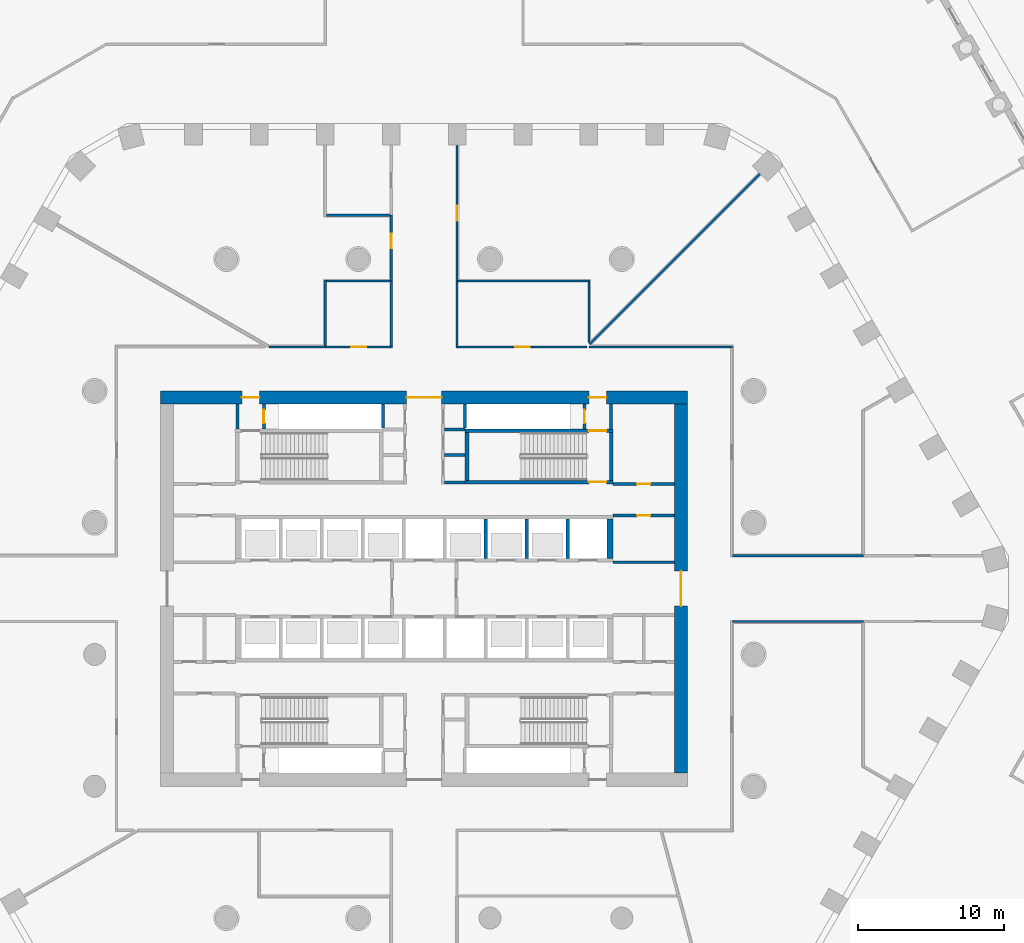
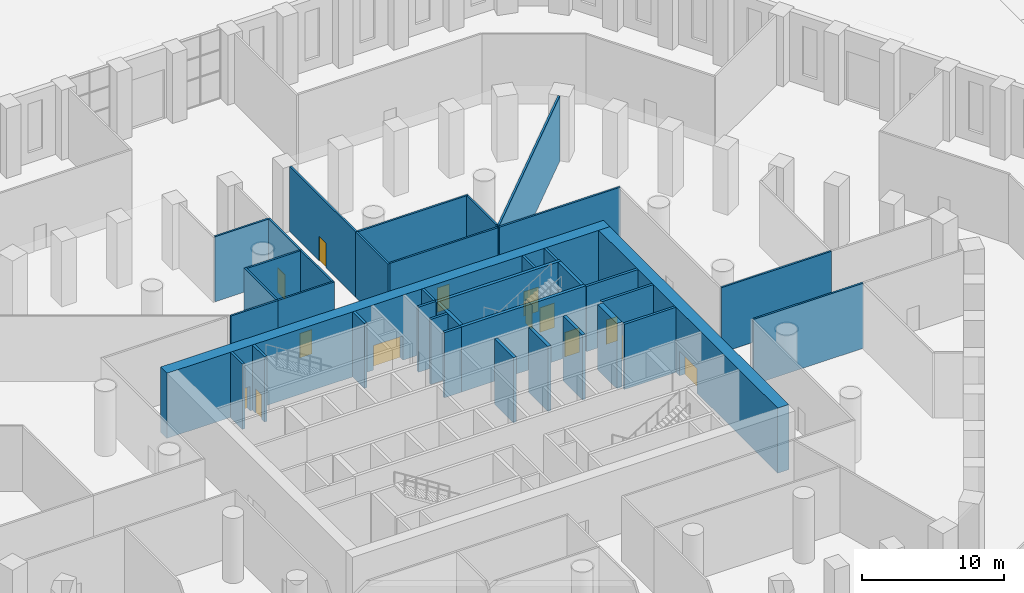
# One storey, part 21 of 44: 38 walls, 14 doors, 14 openings.
"""IFC4 building model written with IfcOpenShell, lengths in metres."""

from ifc_helpers import new_model, si_unit, direction, frame, frame_2d, origin, place, context, subcontext, project, spatial, polyline, rectangle, outline, extrude, material, layer, layer_set, type_object, element, fill, save


model = new_model("IFC4")

# Units and contexts
model_context = context("Model", 3, precision=1e-05, world=origin(), true_north=direction((0.0, 1.0)))
body_context = subcontext(model_context, "Body", "Model", "MODEL_VIEW")
ifc_project = project(units=[si_unit("LENGTHUNIT", "METRE"), si_unit("AREAUNIT", "SQUARE_METRE"), si_unit("VOLUMEUNIT", "CUBIC_METRE"), si_unit("PLANEANGLEUNIT", "RADIAN"), si_unit("MASSUNIT", "GRAM", prefix="KILO")], contexts=[model_context])

# Site, building, storey
site_placement = place(None, origin())
site = spatial("IfcSite", under=ifc_project, at=site_placement, CompositionType="ELEMENT")
building_placement = place(site_placement, origin())
building = spatial("IfcBuilding", under=site, at=building_placement, Name="Dhurran Vertical Campus", CompositionType="ELEMENT")
storey_placement = place(building_placement, origin())
storey = spatial("IfcBuildingStorey", under=building, at=storey_placement, Name="L00", CompositionType="ELEMENT", Elevation=0.0)

# Wall, openings, doors
ifc_material_1 = material(Name="Concrete C60/75", Category="concrete")
ifc_layer_1 = layer(ifc_material_1, 0.89990234375)
ifc_layer_set_1 = layer_set([ifc_layer_1], Name="Concrete C60/75")
wall_type_1 = type_object("IfcWallType", Name="co-CORE-WALL-C0-900", PredefinedType="SHEAR", material=ifc_layer_set_1)
wall_1_placement = place(storey_placement, frame((-18.0, 13.050048828125, 0.0), z_axis=(0.0, 0.0, 1.0), x_axis=(1.0, 0.0, 0.0)))
wall_1 = element("IfcWall", 1, at=wall_1_placement, inside=storey, type_object=wall_type_1, Name="Core wall N L00", PredefinedType="SHEAR", context=body_context, shape_type="SweptSolid", body=[
    extrude(rectangle(XDim=36.0, YDim=0.89990234375, at=frame_2d((18.0, 0.0))), origin(), (0.0, 0.0, 1.0), 5.60009765625),
])
opening_1_placement = place(wall_1_placement, frame((16.800048828125, 0.0, 0.0)))
opening_1 = element("IfcOpeningElement", 2, at=opening_1_placement, cuts=wall_1, Name="Opening CV1", PredefinedType="OPENING", context=body_context, shape_type="SweptSolid", body=[
    extrude(rectangle(XDim=2.39990234375, YDim=2.10009765625, at=frame_2d((1.199951171875, 1.050048828125))), frame((0.0, 0.4599609375, 0.0), z_axis=(0.0, -1.0, 0.0), x_axis=(1.0, 0.0, 0.0)), (0.0, 0.0, 1.0), 0.919921875),
])
opening_2_placement = place(wall_1_placement, frame((5.550048828125, 0.0, 0.0)))
opening_2 = element("IfcOpeningElement", 3, at=opening_2_placement, cuts=wall_1, Name="Opening XD1", PredefinedType="OPENING", context=body_context, shape_type="SweptSolid", body=[
    extrude(rectangle(XDim=1.199951171875, YDim=2.10009765625, at=frame_2d((0.60009765625, 1.050048828125))), frame((0.0, 0.4599609375, 0.0), z_axis=(0.0, -1.0, 0.0), x_axis=(1.0, 0.0, 0.0)), (0.0, 0.0, 1.0), 0.919921875),
])
opening_3_placement = place(wall_1_placement, frame((29.25, 0.0, 0.0)))
opening_3 = element("IfcOpeningElement", 4, at=opening_3_placement, cuts=wall_1, Name="Opening XD2", PredefinedType="OPENING", context=body_context, shape_type="SweptSolid", body=[
    extrude(rectangle(XDim=1.199951171875, YDim=2.10009765625, at=frame_2d((0.60009765625, 1.050048828125))), frame((0.0, 0.4599609375, 0.0), z_axis=(0.0, -1.0, 0.0), x_axis=(1.0, 0.0, 0.0)), (0.0, 0.0, 1.0), 0.919921875),
])
ifc_material_2 = material(Name="Fire-rated glazed door set")
door_type_1 = type_object("IfcDoorType", Name="co-D-LOBBY 2400x2100", OperationType="DOUBLE_DOOR_DOUBLE_SWING", PredefinedType="DOOR", material=ifc_material_2)
door_1_placement = place(opening_1_placement, origin())
door_1 = element("IfcDoor", 5, at=door_1_placement, inside=storey, type_object=door_type_1, Name="Core vestibule door N L00", OperationType="DOUBLE_DOOR_DOUBLE_SWING", OverallHeight=2.10009765625, OverallWidth=2.39990234375, PredefinedType="DOOR", context=body_context, shape_type="SweptSolid", body=[
    extrude(rectangle(XDim=2.39990234375, YDim=2.10009765625, at=frame_2d((1.199951171875, 1.050048828125))), frame((0.0, 0.02490234375, 0.0), z_axis=(0.0, -1.0, 0.0), x_axis=(1.0, 0.0, 0.0)), (0.0, 0.0, 1.0), 0.050048828125),
])
fill(opening_1, door_1)
ifc_material_3 = material(Name="Fire-rated steel door set", Category="steel")
door_type_2 = type_object("IfcDoorType", Name="co-D-STAIR-EXIT 1200x2100", OperationType="SINGLE_SWING_RIGHT", PredefinedType="DOOR", material=ifc_material_3)
door_2_placement = place(opening_2_placement, origin())
door_2 = element("IfcDoor", 6, at=door_2_placement, inside=storey, type_object=door_type_2, Name="Stair ST1 exit door L00", OperationType="SINGLE_SWING_RIGHT", OverallHeight=2.10009765625, OverallWidth=1.199951171875, PredefinedType="DOOR", context=body_context, shape_type="SweptSolid", body=[
    extrude(rectangle(XDim=1.199951171875, YDim=2.10009765625, at=frame_2d((0.60009765625, 1.050048828125))), frame((0.0, 0.02490234375, 0.0), z_axis=(0.0, -1.0, 0.0), x_axis=(1.0, 0.0, 0.0)), (0.0, 0.0, 1.0), 0.050048828125),
])
fill(opening_2, door_2)
door_3_placement = place(opening_3_placement, origin())
door_3 = element("IfcDoor", 7, at=door_3_placement, inside=storey, type_object=door_type_2, Name="Stair ST2 exit door L00", OperationType="SINGLE_SWING_RIGHT", OverallHeight=2.10009765625, OverallWidth=1.199951171875, PredefinedType="DOOR", context=body_context, shape_type="SweptSolid", body=[
    extrude(rectangle(XDim=1.199951171875, YDim=2.10009765625, at=frame_2d((0.60009765625, 1.050048828125))), frame((0.0, 0.02490234375, 0.0), z_axis=(0.0, -1.0, 0.0), x_axis=(1.0, 0.0, 0.0)), (0.0, 0.0, 1.0), 0.050048828125),
])
fill(opening_3, door_3)

# Wall, opening, door
wall_2_placement = place(storey_placement, frame((17.550048828125, -12.60009765625, 0.0), z_axis=(0.0, 0.0, 1.0), x_axis=(0.0, 1.0, 0.0)))
wall_2 = element("IfcWall", 8, at=wall_2_placement, inside=storey, type_object=wall_type_1, Name="Core wall E L00", PredefinedType="SHEAR", context=body_context, shape_type="SweptSolid", body=[
    extrude(rectangle(XDim=25.2001953125, YDim=0.89990234375, at=frame_2d((12.60009765625, 0.0))), origin(), (0.0, 0.0, 1.0), 5.60009765625),
])
opening_4_placement = place(wall_2_placement, frame((11.39990234375, 0.0, 0.0)))
opening_4 = element("IfcOpeningElement", 9, at=opening_4_placement, cuts=wall_2, Name="Opening CL2", PredefinedType="OPENING", context=body_context, shape_type="SweptSolid", body=[
    extrude(rectangle(XDim=2.39990234375, YDim=2.10009765625, at=frame_2d((1.199951171875, 1.050048828125))), frame((0.0, 0.4599609375, 0.0), z_axis=(0.0, -1.0, 0.0), x_axis=(1.0, 0.0, 0.0)), (0.0, 0.0, 1.0), 0.919921875),
])
door_4_placement = place(opening_4_placement, origin())
door_4 = element("IfcDoor", 10, at=door_4_placement, inside=storey, type_object=door_type_1, Name="Lift lobby door E L00", OperationType="DOUBLE_DOOR_DOUBLE_SWING", OverallHeight=2.10009765625, OverallWidth=2.39990234375, PredefinedType="DOOR", context=body_context, shape_type="SweptSolid", body=[
    extrude(rectangle(XDim=2.39990234375, YDim=2.10009765625, at=frame_2d((1.199951171875, 1.050048828125))), frame((0.0, 0.02490234375, 0.0), z_axis=(0.0, -1.0, 0.0), x_axis=(1.0, 0.0, 0.0)), (0.0, 0.0, 1.0), 0.050048828125),
])
fill(opening_4, door_4)

# Walls
ifc_material_4 = material(Name="Fire-rated masonry blockwork", Category="masonry")
ifc_layer_2 = layer(ifc_material_4, 0.199951171875)
ifc_layer_set_2 = layer_set([ifc_layer_2], Name="Fire-rated masonry blockwork")
wall_type_2 = type_object("IfcWallType", Name="co-FIRE-PARTITION-200", PredefinedType="PARTITIONING", material=ifc_layer_set_2)
for number, where, z_axis, x_axis, name in (
    (11, (1.39990234375, 7.25, 0.0), (0.0, 0.0, 1.0), (1.0, 0.0, 0.0), "Core partition sl-NE-S L00"),
    (12, (1.39990234375, 9.135009765625, 0.0), (0.0, 0.0, 1.0), (1.0, 0.0, 0.0), "Core partition sl-NE-cut0 L00"),
    (13, (1.39990234375, 10.867431640625, 0.0), (0.0, 0.0, 1.0), (1.0, 0.0, 0.0), "Core partition sl-NE-cut1 L00"),
):
    element("IfcWall", number, at=place(storey_placement, frame(where, z_axis=z_axis, x_axis=x_axis)), inside=storey, type_object=wall_type_2, Name=name, PredefinedType="PARTITIONING", context=body_context, shape_type="SweptSolid", body=[
        extrude(rectangle(XDim=1.400146484375, YDim=0.199951171875, at=frame_2d((0.7001953125, 0.0))), origin(), (0.0, 0.0, 1.0), 5.60009765625),
    ])
wall_3_placement = place(storey_placement, frame((-12.75, 10.89990234375, 0.0), z_axis=(0.0, 0.0, 1.0), x_axis=(0.0, 1.0, 0.0)))
element("IfcWall", 14, at=wall_3_placement, inside=storey, type_object=wall_type_2, Name="Core partition pass-ST1-o L00", PredefinedType="PARTITIONING", context=body_context, shape_type="SweptSolid", body=[
    extrude(rectangle(XDim=1.7001953125, YDim=0.199951171875, at=frame_2d((0.85009765625, 0.0))), origin(), (0.0, 0.0, 1.0), 5.60009765625),
])

# Wall, opening, door
wall_4_placement = place(storey_placement, frame((-10.949951171875, 10.89990234375, 0.0), z_axis=(0.0, 0.0, 1.0), x_axis=(0.0, 1.0, 0.0)))
wall_4 = element("IfcWall", 15, at=wall_4_placement, inside=storey, type_object=wall_type_2, Name="Core partition pass-ST1-i L00", PredefinedType="PARTITIONING", context=body_context, shape_type="SweptSolid", body=[
    extrude(rectangle(XDim=1.7001953125, YDim=0.199951171875, at=frame_2d((0.85009765625, 0.0))), origin(), (0.0, 0.0, 1.0), 5.60009765625),
])
opening_5_placement = place(wall_4_placement, frame((0.39990234375, 0.0, 0.0)))
opening_5 = element("IfcOpeningElement", 16, at=opening_5_placement, cuts=wall_4, Name="Opening PD00-C11", PredefinedType="OPENING", context=body_context, shape_type="SweptSolid", body=[
    extrude(rectangle(XDim=0.89990234375, YDim=2.10009765625, at=frame_2d((0.449951171875, 1.050048828125))), frame((0.0, 0.10986328125, 0.0), z_axis=(0.0, -1.0, 0.0), x_axis=(1.0, 0.0, 0.0)), (0.0, 0.0, 1.0), 0.219970703125),
])
ifc_material_5 = material(Name="Fire-rated timber door set", Category="wood")
door_type_3 = type_object("IfcDoorType", Name="co-D-ROOM 900x2100", OperationType="SINGLE_SWING_LEFT", PredefinedType="DOOR", material=ifc_material_5)
door_5_placement = place(opening_5_placement, origin())
door_5 = element("IfcDoor", 17, at=door_5_placement, inside=storey, type_object=door_type_3, Name="Riser room door L00", OperationType="SINGLE_SWING_LEFT", OverallHeight=2.10009765625, OverallWidth=0.89990234375, PredefinedType="DOOR", context=body_context, shape_type="SweptSolid", body=[
    extrude(rectangle(XDim=0.89990234375, YDim=2.10009765625, at=frame_2d((0.449951171875, 1.050048828125))), frame((0.0, 0.02490234375, 0.0), z_axis=(0.0, -1.0, 0.0), x_axis=(1.0, 0.0, 0.0)), (0.0, 0.0, 1.0), 0.050048828125),
])
fill(opening_5, door_5)

# Wall
wall_5_placement = place(storey_placement, frame((12.75, 10.89990234375, 0.0), z_axis=(0.0, 0.0, 1.0), x_axis=(0.0, 1.0, 0.0)))
element("IfcWall", 18, at=wall_5_placement, inside=storey, type_object=wall_type_2, Name="Core partition pass-ST2-o L00", PredefinedType="PARTITIONING", context=body_context, shape_type="SweptSolid", body=[
    extrude(rectangle(XDim=1.7001953125, YDim=0.199951171875, at=frame_2d((0.85009765625, 0.0))), origin(), (0.0, 0.0, 1.0), 5.60009765625),
])

# Wall, opening, door
wall_6_placement = place(storey_placement, frame((10.949951171875, 10.89990234375, 0.0), z_axis=(0.0, 0.0, 1.0), x_axis=(0.0, 1.0, 0.0)))
wall_6 = element("IfcWall", 19, at=wall_6_placement, inside=storey, type_object=wall_type_2, Name="Core partition pass-ST2-i L00", PredefinedType="PARTITIONING", context=body_context, shape_type="SweptSolid", body=[
    extrude(rectangle(XDim=1.7001953125, YDim=0.199951171875, at=frame_2d((0.85009765625, 0.0))), origin(), (0.0, 0.0, 1.0), 5.60009765625),
])
opening_6_placement = place(wall_6_placement, frame((0.39990234375, 0.0, 0.0)))
opening_6 = element("IfcOpeningElement", 20, at=opening_6_placement, cuts=wall_6, Name="Opening PD00-C12", PredefinedType="OPENING", context=body_context, shape_type="SweptSolid", body=[
    extrude(rectangle(XDim=0.89990234375, YDim=2.10009765625, at=frame_2d((0.449951171875, 1.050048828125))), frame((0.0, 0.10986328125, 0.0), z_axis=(0.0, -1.0, 0.0), x_axis=(1.0, 0.0, 0.0)), (0.0, 0.0, 1.0), 0.219970703125),
])
door_6_placement = place(opening_6_placement, origin())
door_6 = element("IfcDoor", 21, at=door_6_placement, inside=storey, type_object=door_type_3, Name="Riser room door L00", OperationType="SINGLE_SWING_LEFT", OverallHeight=2.10009765625, OverallWidth=0.89990234375, PredefinedType="DOOR", context=body_context, shape_type="SweptSolid", body=[
    extrude(rectangle(XDim=0.89990234375, YDim=2.10009765625, at=frame_2d((0.449951171875, 1.050048828125))), frame((0.0, 0.02490234375, 0.0), z_axis=(0.0, -1.0, 0.0), x_axis=(1.0, 0.0, 0.0)), (0.0, 0.0, 1.0), 0.050048828125),
])
fill(opening_6, door_6)

wall_7_placement = place(storey_placement, frame((12.89990234375, 7.14990234375, 0.0), z_axis=(0.0, 0.0, 1.0), x_axis=(1.0, 0.0, 0.0)))
wall_7 = element("IfcWall", 22, at=wall_7_placement, inside=storey, type_object=wall_type_2, Name="Core partition en-NE-w L00", PredefinedType="PARTITIONING", context=body_context, shape_type="SweptSolid", body=[
    extrude(rectangle(XDim=4.2001953125, YDim=0.199951171875, at=frame_2d((2.10009765625, 0.0))), origin(), (0.0, 0.0, 1.0), 5.60009765625),
])
opening_7_placement = place(wall_7_placement, frame((1.64990234375, 0.0, 0.0)))
opening_7 = element("IfcOpeningElement", 23, at=opening_7_placement, cuts=wall_7, Name="Opening PD00-C17", PredefinedType="OPENING", context=body_context, shape_type="SweptSolid", body=[
    extrude(rectangle(XDim=0.89990234375, YDim=2.10009765625, at=frame_2d((0.449951171875, 1.050048828125))), frame((0.0, 0.10986328125, 0.0), z_axis=(0.0, -1.0, 0.0), x_axis=(1.0, 0.0, 0.0)), (0.0, 0.0, 1.0), 0.219970703125),
])
door_7_placement = place(opening_7_placement, origin())
door_7 = element("IfcDoor", 24, at=door_7_placement, inside=storey, type_object=door_type_3, Name="Store door L00", OperationType="SINGLE_SWING_LEFT", OverallHeight=2.10009765625, OverallWidth=0.89990234375, PredefinedType="DOOR", context=body_context, shape_type="SweptSolid", body=[
    extrude(rectangle(XDim=0.89990234375, YDim=2.10009765625, at=frame_2d((0.449951171875, 1.050048828125))), frame((0.0, 0.02490234375, 0.0), z_axis=(0.0, -1.0, 0.0), x_axis=(1.0, 0.0, 0.0)), (0.0, 0.0, 1.0), 0.050048828125),
])
fill(opening_7, door_7)

wall_8_placement = place(storey_placement, frame((12.89990234375, 5.0, 0.0), z_axis=(0.0, 0.0, 1.0), x_axis=(1.0, 0.0, 0.0)))
wall_8 = element("IfcWall", 25, at=wall_8_placement, inside=storey, type_object=wall_type_2, Name="Core partition es-NE-w L00", PredefinedType="PARTITIONING", context=body_context, shape_type="SweptSolid", body=[
    extrude(rectangle(XDim=4.2001953125, YDim=0.199951171875, at=frame_2d((2.10009765625, 0.0))), origin(), (0.0, 0.0, 1.0), 5.60009765625),
])
opening_8_placement = place(wall_8_placement, frame((1.64990234375, 0.0, 0.0)))
opening_8 = element("IfcOpeningElement", 26, at=opening_8_placement, cuts=wall_8, Name="Opening PD00-C18", PredefinedType="OPENING", context=body_context, shape_type="SweptSolid", body=[
    extrude(rectangle(XDim=0.89990234375, YDim=2.10009765625, at=frame_2d((0.449951171875, 1.050048828125))), frame((0.0, 0.10986328125, 0.0), z_axis=(0.0, -1.0, 0.0), x_axis=(1.0, 0.0, 0.0)), (0.0, 0.0, 1.0), 0.219970703125),
])
door_8_placement = place(opening_8_placement, origin())
door_8 = element("IfcDoor", 27, at=door_8_placement, inside=storey, type_object=door_type_3, Name="Waste room door L00", OperationType="SINGLE_SWING_LEFT", OverallHeight=2.10009765625, OverallWidth=0.89990234375, PredefinedType="DOOR", context=body_context, shape_type="SweptSolid", body=[
    extrude(rectangle(XDim=0.89990234375, YDim=2.10009765625, at=frame_2d((0.449951171875, 1.050048828125))), frame((0.0, 0.02490234375, 0.0), z_axis=(0.0, -1.0, 0.0), x_axis=(1.0, 0.0, 0.0)), (0.0, 0.0, 1.0), 0.050048828125),
])
fill(opening_8, door_8)

# Walls
wall_9_placement = place(storey_placement, frame((12.89990234375, 1.800048828125, 0.0), z_axis=(0.0, 0.0, 1.0), x_axis=(1.0, 0.0, 0.0)))
element("IfcWall", 28, at=wall_9_placement, inside=storey, type_object=wall_type_2, Name="Core partition es-NE-l L00", PredefinedType="PARTITIONING", context=body_context, shape_type="SweptSolid", body=[
    extrude(rectangle(XDim=4.2001953125, YDim=0.199951171875, at=frame_2d((2.10009765625, 0.0))), origin(), (0.0, 0.0, 1.0), 5.60009765625),
])
for number, where, z_axis, x_axis, name in (
    (29, (-2.800048828125, 10.968505859375, 0.0), (0.0, 0.0, 1.0), (0.0, 1.0, 0.0), "Riser enclosure wall L00"),
    (30, (2.800048828125, 12.59912109375, 0.0), (0.0, 0.0, 1.0), (0.0, -1.0, 0.0), "Riser enclosure wall L00"),
):
    element("IfcWall", number, at=place(storey_placement, frame(where, z_axis=z_axis, x_axis=x_axis)), inside=storey, type_object=wall_type_2, Name=name, PredefinedType="PARTITIONING", context=body_context, shape_type="SweptSolid", body=[
        extrude(rectangle(XDim=1.630615234375, YDim=0.199951171875, at=frame_2d((0.8154296875, 0.0))), origin(), (0.0, 0.0, 1.0), 5.60009765625),
    ])
ifc_material_6 = material(Name="Concrete C50/60", Category="concrete")
ifc_layer_3 = layer(ifc_material_6, 0.25)
ifc_layer_set_3 = layer_set([ifc_layer_3], Name="Concrete C50/60")
wall_type_3 = type_object("IfcWallType", Name="co-SHAFT-MASS-250", PredefinedType="SHEAR", material=ifc_layer_set_3)
wall_10_placement = place(storey_placement, origin())
element("IfcWall", 31, at=wall_10_placement, inside=storey, type_object=wall_type_3, Name="Lift shaft wall N L00 8", PredefinedType="SHEAR", context=body_context, shape_type="SweptSolid", body=[
    extrude(outline(polyline([(4.074951171875, 2.050048828125), (4.324951171875, 2.050048828125), (4.324951171875, 4.75), (4.074951171875, 4.75), (4.074951171875, 2.050048828125)])), origin(), (0.0, 0.0, 1.0), 5.60009765625),
])
wall_11_placement = place(storey_placement, origin())
element("IfcWall", 32, at=wall_11_placement, inside=storey, type_object=wall_type_3, Name="Lift shaft wall N L00 9", PredefinedType="SHEAR", context=body_context, shape_type="SweptSolid", body=[
    extrude(outline(polyline([(6.875, 2.050048828125), (7.125, 2.050048828125), (7.125, 4.75), (6.875, 4.75), (6.875, 2.050048828125)])), origin(), (0.0, 0.0, 1.0), 5.60009765625),
])
wall_12_placement = place(storey_placement, origin())
element("IfcWall", 33, at=wall_12_placement, inside=storey, type_object=wall_type_3, Name="Lift shaft wall N L00 10", PredefinedType="SHEAR", context=body_context, shape_type="SweptSolid", body=[
    extrude(outline(polyline([(9.675048828125, 2.050048828125), (9.925048828125, 2.050048828125), (9.925048828125, 4.75), (9.675048828125, 4.75), (9.675048828125, 2.050048828125)])), origin(), (0.0, 0.0, 1.0), 5.60009765625),
])
wall_13_placement = place(storey_placement, origin())
element("IfcWall", 34, at=wall_13_placement, inside=storey, type_object=wall_type_3, Name="Lift shaft wall N L00 11", PredefinedType="SHEAR", context=body_context, shape_type="SweptSolid", body=[
    extrude(outline(polyline([(12.47509765625, 2.050048828125), (12.89990234375, 2.050048828125), (12.89990234375, 4.75), (12.47509765625, 4.75), (12.47509765625, 2.050048828125)])), origin(), (0.0, 0.0, 1.0), 5.60009765625),
])

# Wall, opening, door
ifc_material_7 = material(Name="Concrete C40/50", Category="concrete")
ifc_layer_4 = layer(ifc_material_7, 0.25)
ifc_layer_set_4 = layer_set([ifc_layer_4], Name="Concrete C40/50")
wall_type_4 = type_object("IfcWallType", Name="co-STAIR-WALL-250", PredefinedType="SHEAR", material=ifc_layer_set_4)
wall_14_placement = place(storey_placement, frame((2.800048828125, 7.27490234375, 0.0), z_axis=(0.0, 0.0, 1.0), x_axis=(1.0, 0.0, 0.0)))
wall_14 = element("IfcWall", 35, at=wall_14_placement, inside=storey, type_object=wall_type_4, Name="Stair ST2 enclosure wall L00", PredefinedType="SHEAR", context=body_context, shape_type="SweptSolid", body=[
    extrude(rectangle(XDim=10.099853515625, YDim=0.25, at=frame_2d((5.0498046875, 0.0))), origin(), (0.0, 0.0, 1.0), 5.60009765625),
])
opening_9_placement = place(wall_14_placement, frame((8.449951171875, 0.0, 0.0)))
opening_9 = element("IfcOpeningElement", 36, at=opening_9_placement, cuts=wall_14, Name="Opening SD2", PredefinedType="OPENING", context=body_context, shape_type="SweptSolid", body=[
    extrude(rectangle(XDim=1.199951171875, YDim=2.10009765625, at=frame_2d((0.60009765625, 1.050048828125))), frame((0.0, 0.135009765625, 0.0), z_axis=(0.0, -1.0, 0.0), x_axis=(1.0, 0.0, 0.0)), (0.0, 0.0, 1.0), 0.27001953125),
])
ifc_material_8 = material(Name="Fire-rated steel door set", Category="steel")
door_type_4 = type_object("IfcDoorType", Name="co-D-STAIR 1200x2100", OperationType="SINGLE_SWING_LEFT", PredefinedType="DOOR", material=ifc_material_8)
door_9_placement = place(opening_9_placement, origin())
door_9 = element("IfcDoor", 37, at=door_9_placement, inside=storey, type_object=door_type_4, Name="Stair ST2 door L00", OperationType="SINGLE_SWING_LEFT", OverallHeight=2.10009765625, OverallWidth=1.199951171875, PredefinedType="DOOR", context=body_context, shape_type="SweptSolid", body=[
    extrude(rectangle(XDim=1.199951171875, YDim=2.10009765625, at=frame_2d((0.60009765625, 1.050048828125))), frame((0.0, 0.02490234375, 0.0), z_axis=(0.0, -1.0, 0.0), x_axis=(1.0, 0.0, 0.0)), (0.0, 0.0, 1.0), 0.050048828125),
])
fill(opening_9, door_9)

wall_15_placement = place(storey_placement, frame((2.800048828125, 10.77490234375, 0.0), z_axis=(0.0, 0.0, 1.0), x_axis=(1.0, 0.0, 0.0)))
wall_15 = element("IfcWall", 38, at=wall_15_placement, inside=storey, type_object=wall_type_4, Name="Stair ST2 enclosure wall L00", PredefinedType="SHEAR", context=body_context, shape_type="SweptSolid", body=[
    extrude(rectangle(XDim=10.099853515625, YDim=0.25, at=frame_2d((5.0498046875, 0.0))), origin(), (0.0, 0.0, 1.0), 5.60009765625),
])
opening_10_placement = place(wall_15_placement, frame((8.449951171875, 0.0, 0.0)))
opening_10 = element("IfcOpeningElement", 39, at=opening_10_placement, cuts=wall_15, Name="Opening XS2", PredefinedType="OPENING", context=body_context, shape_type="SweptSolid", body=[
    extrude(rectangle(XDim=1.199951171875, YDim=2.10009765625, at=frame_2d((0.60009765625, 1.050048828125))), frame((0.0, 0.135009765625, 0.0), z_axis=(0.0, -1.0, 0.0), x_axis=(1.0, 0.0, 0.0)), (0.0, 0.0, 1.0), 0.27001953125),
])
door_10_placement = place(opening_10_placement, origin())
door_10 = element("IfcDoor", 40, at=door_10_placement, inside=storey, type_object=door_type_2, Name="Stair ST2 discharge door L00", OperationType="SINGLE_SWING_RIGHT", OverallHeight=2.10009765625, OverallWidth=1.199951171875, PredefinedType="DOOR", context=body_context, shape_type="SweptSolid", body=[
    extrude(rectangle(XDim=1.199951171875, YDim=2.10009765625, at=frame_2d((0.60009765625, 1.050048828125))), frame((0.0, 0.02490234375, 0.0), z_axis=(0.0, -1.0, 0.0), x_axis=(1.0, 0.0, 0.0)), (0.0, 0.0, 1.0), 0.050048828125),
])
fill(opening_10, door_10)

# Walls
for number, where, z_axis, x_axis, name in (
    (41, (2.925048828125, 7.39990234375, 0.0), (0.0, 0.0, 1.0), (0.0, 1.0, 0.0), "Stair ST2 enclosure wall L00"),
    (42, (12.77490234375, 7.39990234375, 0.0), (0.0, 0.0, 1.0), (0.0, 1.0, 0.0), "Stair ST2 enclosure wall L00"),
):
    element("IfcWall", number, at=place(storey_placement, frame(where, z_axis=z_axis, x_axis=x_axis)), inside=storey, type_object=wall_type_4, Name=name, PredefinedType="SHEAR", context=body_context, shape_type="SweptSolid", body=[
        extrude(rectangle(XDim=3.25, YDim=0.25, at=frame_2d((1.625, 0.0))), origin(), (0.0, 0.0, 1.0), 5.60009765625),
    ])
ifc_material_9 = material(Name="Gypsum board corridor wall on steel studs", Category="steel")
ifc_layer_5 = layer(ifc_material_9, 0.14990234375)
ifc_layer_set_5 = layer_set([ifc_layer_5], Name="Gypsum board corridor wall on steel studs")
wall_type_5 = type_object("IfcWallType", Name="fl-CW-150 corridor wall", PredefinedType="PARTITIONING", material=ifc_layer_set_5)
wall_16_placement = place(storey_placement, frame((-6.75, 16.5, 0.0), z_axis=(0.0, 0.0, 1.0), x_axis=(-1.0, 0.0, 0.0)))
element("IfcWall", 43, at=wall_16_placement, inside=storey, type_object=wall_type_5, Name="Partition 00-31", PredefinedType="PARTITIONING", context=body_context, shape_type="SweptSolid", body=[
    extrude(rectangle(XDim=3.8291015625, YDim=0.14990234375, at=frame_2d((1.91455078125, 0.0))), origin(), (0.0, 0.0, 1.0), 5.60009765625),
])

# Wall, opening, door
wall_17_placement = place(storey_placement, frame((-2.175048828125, 16.5, 0.0), z_axis=(0.0, 0.0, 1.0), x_axis=(-1.0, 0.0, 0.0)))
wall_17 = element("IfcWall", 44, at=wall_17_placement, inside=storey, type_object=wall_type_5, Name="Partition 00-34", PredefinedType="PARTITIONING", context=body_context, shape_type="SweptSolid", body=[
    extrude(rectangle(XDim=4.574951171875, YDim=0.14990234375, at=frame_2d((2.28759765625, 0.0))), origin(), (0.0, 0.0, 1.0), 5.60009765625),
])
opening_11_placement = place(wall_17_placement, frame((1.78759765625, 0.0, 0.0)))
opening_11 = element("IfcOpeningElement", 45, at=opening_11_placement, cuts=wall_17, Name="Opening PD00.20", PredefinedType="OPENING", context=body_context, shape_type="SweptSolid", body=[
    extrude(rectangle(XDim=1.0, YDim=2.10009765625, at=frame_2d((0.5, 1.050048828125))), frame((0.0, 0.0849609375, 0.0), z_axis=(0.0, -1.0, 0.0), x_axis=(1.0, 0.0, 0.0)), (0.0, 0.0, 1.0), 0.169921875),
])
ifc_material_10 = material(Name="Solid-core timber door set, fire-rated", Category="wood")
door_type_5 = type_object("IfcDoorType", Name="fl-D-1000x2100", OperationType="SINGLE_SWING_LEFT", PredefinedType="DOOR", material=ifc_material_10)
door_11_placement = place(opening_11_placement, origin())
door_11 = element("IfcDoor", 46, at=door_11_placement, inside=storey, type_object=door_type_5, Name="Door 00.20", OperationType="SINGLE_SWING_RIGHT", OverallHeight=2.10009765625, OverallWidth=1.0, PredefinedType="DOOR", context=body_context, shape_type="SweptSolid", body=[
    extrude(rectangle(XDim=1.0, YDim=2.10009765625, at=frame_2d((0.5, 1.050048828125))), frame((0.0, 0.02490234375, 0.0), z_axis=(0.0, -1.0, 0.0), x_axis=(1.0, 0.0, 0.0)), (0.0, 0.0, 1.0), 0.050048828125),
])
fill(opening_11, door_11)

# Wall
wall_18_placement = place(storey_placement, frame((-2.25, 16.574951171875, 0.0), z_axis=(0.0, 0.0, 1.0), x_axis=(0.0, 1.0, 0.0)))
element("IfcWall", 47, at=wall_18_placement, inside=storey, type_object=wall_type_5, Name="Partition 00-41", PredefinedType="PARTITIONING", context=body_context, shape_type="SweptSolid", body=[
    extrude(rectangle(XDim=4.425048828125, YDim=0.14990234375, at=frame_2d((2.21240234375, 0.0))), origin(), (0.0, 0.0, 1.0), 5.60009765625),
])

# Wall, opening, door
wall_19_placement = place(storey_placement, frame((-2.25, 21.0, 0.0), z_axis=(0.0, 0.0, 1.0), x_axis=(0.0, 1.0, 0.0)))
wall_19 = element("IfcWall", 48, at=wall_19_placement, inside=storey, type_object=wall_type_5, Name="Partition 00-42", PredefinedType="PARTITIONING", context=body_context, shape_type="SweptSolid", body=[
    extrude(rectangle(XDim=4.5, YDim=0.14990234375, at=frame_2d((2.25, 0.0))), origin(), (0.0, 0.0, 1.0), 5.60009765625),
])
opening_12_placement = place(wall_19_placement, frame((2.25, 0.0, 0.0)))
opening_12 = element("IfcOpeningElement", 49, at=opening_12_placement, cuts=wall_19, Name="Opening PD00.18", PredefinedType="OPENING", context=body_context, shape_type="SweptSolid", body=[
    extrude(rectangle(XDim=1.0, YDim=2.10009765625, at=frame_2d((0.5, 1.050048828125))), frame((0.0, 0.0849609375, 0.0), z_axis=(0.0, -1.0, 0.0), x_axis=(1.0, 0.0, 0.0)), (0.0, 0.0, 1.0), 0.169921875),
])
door_12_placement = place(opening_12_placement, origin())
door_12 = element("IfcDoor", 50, at=door_12_placement, inside=storey, type_object=door_type_5, Name="Door 00.18", OperationType="SINGLE_SWING_LEFT", OverallHeight=2.10009765625, OverallWidth=1.0, PredefinedType="DOOR", context=body_context, shape_type="SweptSolid", body=[
    extrude(rectangle(XDim=1.0, YDim=2.10009765625, at=frame_2d((0.5, 1.050048828125))), frame((0.0, 0.02490234375, 0.0), z_axis=(0.0, -1.0, 0.0), x_axis=(1.0, 0.0, 0.0)), (0.0, 0.0, 1.0), 0.050048828125),
])
fill(opening_12, door_12)

# Wall
wall_20_placement = place(storey_placement, frame((2.25, 21.0, 0.0), z_axis=(0.0, 0.0, 1.0), x_axis=(0.0, -1.0, 0.0)))
element("IfcWall", 51, at=wall_20_placement, inside=storey, type_object=wall_type_5, Name="Partition 00-48", PredefinedType="PARTITIONING", context=body_context, shape_type="SweptSolid", body=[
    extrude(rectangle(XDim=4.574951171875, YDim=0.14990234375, at=frame_2d((2.28759765625, 0.0))), origin(), (0.0, 0.0, 1.0), 5.60009765625),
])

# Wall, opening, door
wall_21_placement = place(storey_placement, frame((11.116943359375, 16.5, 0.0), z_axis=(0.0, 0.0, 1.0), x_axis=(-1.0, 0.0, 0.0)))
wall_21 = element("IfcWall", 52, at=wall_21_placement, inside=storey, type_object=wall_type_5, Name="Partition 00-49", PredefinedType="PARTITIONING", context=body_context, shape_type="SweptSolid", body=[
    extrude(rectangle(XDim=8.7919921875, YDim=0.14990234375, at=frame_2d((4.39599609375, 0.0))), origin(), (0.0, 0.0, 1.0), 5.60009765625),
])
opening_13_placement = place(wall_21_placement, frame((3.89599609375, 0.0, 0.0)))
opening_13 = element("IfcOpeningElement", 53, at=opening_13_placement, cuts=wall_21, Name="Opening PD00.22", PredefinedType="OPENING", context=body_context, shape_type="SweptSolid", body=[
    extrude(rectangle(XDim=1.0, YDim=2.10009765625, at=frame_2d((0.5, 1.050048828125))), frame((0.0, 0.0849609375, 0.0), z_axis=(0.0, -1.0, 0.0), x_axis=(1.0, 0.0, 0.0)), (0.0, 0.0, 1.0), 0.169921875),
])
door_13_placement = place(opening_13_placement, origin())
door_13 = element("IfcDoor", 54, at=door_13_placement, inside=storey, type_object=door_type_5, Name="Door 00.22", OperationType="SINGLE_SWING_RIGHT", OverallHeight=2.10009765625, OverallWidth=1.0, PredefinedType="DOOR", context=body_context, shape_type="SweptSolid", body=[
    extrude(rectangle(XDim=1.0, YDim=2.10009765625, at=frame_2d((0.5, 1.050048828125))), frame((0.0, 0.02490234375, 0.0), z_axis=(0.0, -1.0, 0.0), x_axis=(1.0, 0.0, 0.0)), (0.0, 0.0, 1.0), 0.050048828125),
])
fill(opening_13, door_13)

wall_22_placement = place(storey_placement, frame((2.25, 30.259765625, 0.0), z_axis=(0.0, 0.0, 1.0), x_axis=(0.0, -1.0, 0.0)))
wall_22 = element("IfcWall", 55, at=wall_22_placement, inside=storey, type_object=wall_type_5, Name="Partition 00-50", PredefinedType="PARTITIONING", context=body_context, shape_type="SweptSolid", body=[
    extrude(rectangle(XDim=9.259765625, YDim=0.14990234375, at=frame_2d((4.6298828125, 0.0))), origin(), (0.0, 0.0, 1.0), 5.60009765625),
])
opening_14_placement = place(wall_22_placement, frame((4.1298828125, 0.0, 0.0)))
opening_14 = element("IfcOpeningElement", 56, at=opening_14_placement, cuts=wall_22, Name="Opening PD00.25", PredefinedType="OPENING", context=body_context, shape_type="SweptSolid", body=[
    extrude(rectangle(XDim=1.0, YDim=2.10009765625, at=frame_2d((0.5, 1.050048828125))), frame((0.0, 0.0849609375, 0.0), z_axis=(0.0, -1.0, 0.0), x_axis=(1.0, 0.0, 0.0)), (0.0, 0.0, 1.0), 0.169921875),
])
door_14_placement = place(opening_14_placement, origin())
door_14 = element("IfcDoor", 57, at=door_14_placement, inside=storey, type_object=door_type_5, Name="Door 00.25", OperationType="SINGLE_SWING_RIGHT", OverallHeight=2.10009765625, OverallWidth=1.0, PredefinedType="DOOR", context=body_context, shape_type="SweptSolid", body=[
    extrude(rectangle(XDim=1.0, YDim=2.10009765625, at=frame_2d((0.5, 1.050048828125))), frame((0.0, 0.02490234375, 0.0), z_axis=(0.0, -1.0, 0.0), x_axis=(1.0, 0.0, 0.0)), (0.0, 0.0, 1.0), 0.050048828125),
])
fill(opening_14, door_14)

# Walls
wall_23_placement = place(storey_placement, frame((21.074951171875, 16.5, 0.0), z_axis=(0.0, 0.0, 1.0), x_axis=(-1.0, 0.0, 0.0)))
element("IfcWall", 58, at=wall_23_placement, inside=storey, type_object=wall_type_5, Name="Partition 00-56", PredefinedType="PARTITIONING", context=body_context, shape_type="SweptSolid", body=[
    extrude(rectangle(XDim=9.824951171875, YDim=0.14990234375, at=frame_2d((4.91259765625, 0.0))), origin(), (0.0, 0.0, 1.0), 5.60009765625),
])
for number, where, z_axis, x_axis, name in (
    (59, (30.0, -2.25, 0.0), (0.0, 0.0, 1.0), (-1.0, 0.0, 0.0), "Partition 00-63"),
    (60, (21.074951171875, 2.25, 0.0), (0.0, 0.0, 1.0), (1.0, 0.0, 0.0), "Partition 00-65"),
):
    element("IfcWall", number, at=place(storey_placement, frame(where, z_axis=z_axis, x_axis=x_axis)), inside=storey, type_object=wall_type_5, Name=name, PredefinedType="PARTITIONING", context=body_context, shape_type="SweptSolid", body=[
        extrude(rectangle(XDim=8.925048828125, YDim=0.14990234375, at=frame_2d((4.46240234375, 0.0))), origin(), (0.0, 0.0, 1.0), 5.60009765625),
    ])
ifc_material_11 = material(Name="Gypsum board partition on steel studs", Category="steel")
ifc_layer_6 = layer(ifc_material_11, 0.14990234375)
ifc_layer_set_6 = layer_set([ifc_layer_6], Name="Gypsum board partition on steel studs")
wall_type_6 = type_object("IfcWallType", Name="fl-PW-150 fixed partition", PredefinedType="PARTITIONING", material=ifc_layer_set_6)
wall_24_placement = place(storey_placement, frame((-6.75, 21.074951171875, 0.0), z_axis=(0.0, 0.0, 1.0), x_axis=(0.0, -1.0, 0.0)))
element("IfcWall", 61, at=wall_24_placement, inside=storey, type_object=wall_type_6, Name="Partition 00-33", PredefinedType="PARTITIONING", context=body_context, shape_type="SweptSolid", body=[
    extrude(rectangle(XDim=4.5, YDim=0.14990234375, at=frame_2d((2.25, 0.0))), origin(), (0.0, 0.0, 1.0), 5.60009765625),
])
for number, where, z_axis, x_axis, name in (
    (62, (-2.324951171875, 21.0, 0.0), (0.0, 0.0, 1.0), (-1.0, 0.0, 0.0), "Partition 00-35"),
    (63, (-6.675048828125, 25.5, 0.0), (0.0, 0.0, 1.0), (1.0, 0.0, 0.0), "Partition 00-37"),
):
    element("IfcWall", number, at=place(storey_placement, frame(where, z_axis=z_axis, x_axis=x_axis)), inside=storey, type_object=wall_type_6, Name=name, PredefinedType="PARTITIONING", context=body_context, shape_type="SweptSolid", body=[
        extrude(rectangle(XDim=4.35009765625, YDim=0.14990234375, at=frame_2d((2.175048828125, 0.0))), origin(), (0.0, 0.0, 1.0), 5.60009765625),
    ])
wall_25_placement = place(storey_placement, frame((2.324951171875, 21.0, 0.0), z_axis=(0.0, 0.0, 1.0), x_axis=(1.0, 0.0, 0.0)))
element("IfcWall", 64, at=wall_25_placement, inside=storey, type_object=wall_type_6, Name="Partition 00-51", PredefinedType="PARTITIONING", context=body_context, shape_type="SweptSolid", body=[
    extrude(rectangle(XDim=9.0, YDim=0.14990234375, at=frame_2d((4.5, 0.0))), origin(), (0.0, 0.0, 1.0), 5.60009765625),
])
wall_26_placement = place(storey_placement, frame((11.25, 20.925048828125, 0.0), z_axis=(0.0, 0.0, 1.0), x_axis=(0.0, -1.0, 0.0)))
element("IfcWall", 65, at=wall_26_placement, inside=storey, type_object=wall_type_6, Name="Partition 00-57", PredefinedType="PARTITIONING", context=body_context, shape_type="SweptSolid", body=[
    extrude(rectangle(XDim=4.116943359375, YDim=0.14990234375, at=frame_2d((2.05859375, 0.0))), origin(), (0.0, 0.0, 1.0), 5.60009765625),
])
wall_27_placement = place(storey_placement, frame((22.93017578125, 28.31298828125, 0.0), z_axis=(0.0, 0.0, 1.0), x_axis=(-0.707114204919, -0.707099357376, 0.0)))
element("IfcWall", 66, at=wall_27_placement, inside=storey, type_object=wall_type_6, Name="Partition 00-58", PredefinedType="PARTITIONING", context=body_context, shape_type="SweptSolid", body=[
    extrude(rectangle(XDim=16.443115234375, YDim=0.14990234375, at=frame_2d((8.2216796875, 0.0))), origin(), (0.0, 0.0, 1.0), 5.60009765625),
])

save(model, "model.ifc")
